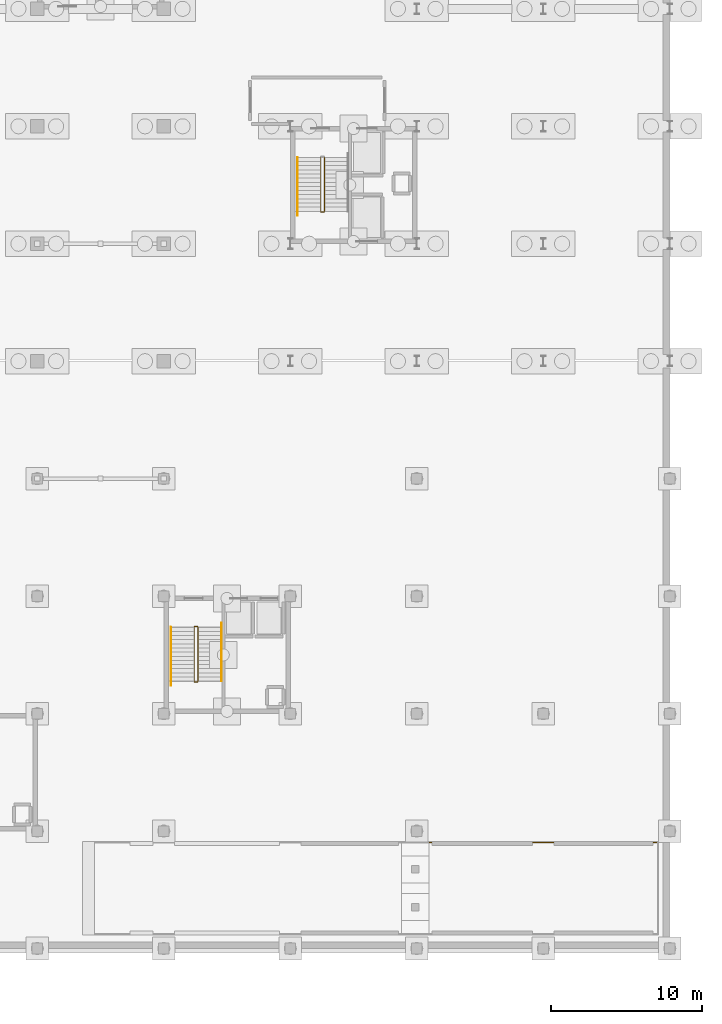
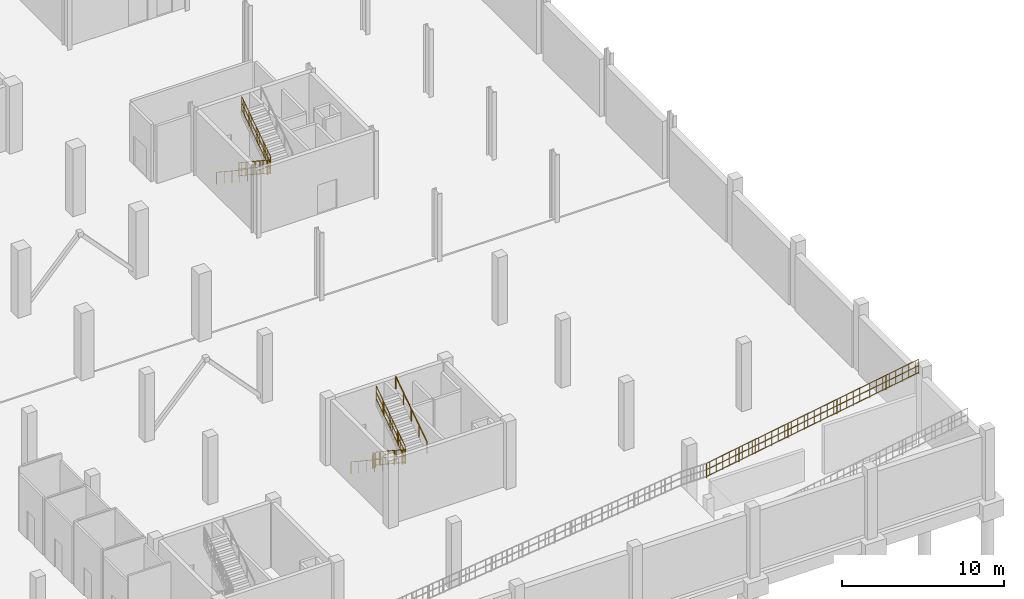
# One storey, part 46 of 48: 11 railings.
"""IFC4 building model written with IfcOpenShell, lengths in metres."""

from ifc_helpers import new_model, si_unit, direction, frame, origin, origin_2d, place, context, subcontext, project, spatial, circle, extrude, material, layer, layer_set, type_object, element, save


model = new_model("IFC4")

# Units and contexts
model_context = context("Model", 3, precision=1e-05, world=origin(), true_north=direction((0.0, 1.0)))
body_context = subcontext(model_context, "Body", "Model", "MODEL_VIEW")
ifc_project = project(units=[si_unit("LENGTHUNIT", "METRE"), si_unit("AREAUNIT", "SQUARE_METRE"), si_unit("VOLUMEUNIT", "CUBIC_METRE"), si_unit("PLANEANGLEUNIT", "RADIAN"), si_unit("MASSUNIT", "GRAM", prefix="KILO")], contexts=[model_context])

# Site, building, storey
site_placement = place(None, origin())
site = spatial("IfcSite", under=ifc_project, at=site_placement, CompositionType="ELEMENT")
building_placement = place(site_placement, origin())
building = spatial("IfcBuilding", under=site, at=building_placement, Name="Nabrawat Pavilion Hospital", CompositionType="ELEMENT")
storey_placement = place(building_placement, frame((0.0, 0.0, -5.10009765625)))
storey = spatial("IfcBuildingStorey", under=building, at=storey_placement, Name="B1", CompositionType="ELEMENT", Elevation=-5.10009765625)

# Railings
ifc_material = material(Name="Stainless Steel 316", Category="steel")
ifc_layer_1 = layer(ifc_material, 0.050048828125, Name="Stainless Steel 316")
ifc_layer_set_1 = layer_set([ifc_layer_1], Name="Stainless Steel 316")
railing_type_1 = type_object("IfcRailingType", Name="Stair Open-Well Safety Guardrail 1100", PredefinedType="GUARDRAIL", material=ifc_layer_set_1)
railing_1_placement = place(storey_placement, frame((161.625, 21.330078125, 0.18212890625)))
element("IfcRailing", 1, at=railing_1_placement, inside=storey, type_object=railing_type_1, Name="B1 ST-04 stair guard 1", PredefinedType="GUARDRAIL", context=body_context, shape_type="SweptSolid", body=[
    extrude(circle(Radius=0.02392578125, at=origin_2d()), frame((0.0, 0.0, 1.076171875), z_axis=(0.0, -0.833719449677, 0.5521882643), x_axis=(1.0, 0.0, 0.0)), (0.0, 0.0, 1.0), 4.288330078125),
    extrude(circle(Radius=0.02392578125, at=origin_2d()), frame((0.0, 0.0, 0.10009765625), z_axis=(0.0, -0.833719449677, 0.5521882643), x_axis=(1.0, 0.0, 0.0)), (0.0, 0.0, 1.0), 4.288330078125),
    extrude(circle(Radius=0.02392578125, at=origin_2d()), frame((0.0, 0.0, 0.60498046875), z_axis=(0.0, -0.833719449677, 0.5521882643), x_axis=(1.0, 0.0, 0.0)), (0.0, 0.0, 1.0), 4.288330078125),
    extrude(circle(Radius=0.008056640625, at=origin_2d()), frame((0.0, -0.19873046875, 0.2314453125)), (0.0, 0.0, 1.0), 0.951904296875),
    extrude(circle(Radius=0.008056640625, at=origin_2d()), frame((0.0, -0.397216796875, 0.363037109375)), (0.0, 0.0, 1.0), 0.951904296875),
    extrude(circle(Radius=0.008056640625, at=origin_2d()), frame((0.0, -0.595947265625, 0.49462890625)), (0.0, 0.0, 1.0), 0.951904296875),
    extrude(circle(Radius=0.008056640625, at=origin_2d()), frame((0.0, -0.79443359375, 0.626220703125)), (0.0, 0.0, 1.0), 0.951904296875),
    extrude(circle(Radius=0.008056640625, at=origin_2d()), frame((0.0, -0.9931640625, 0.7578125)), (0.0, 0.0, 1.0), 0.951904296875),
    extrude(circle(Radius=0.008056640625, at=origin_2d()), frame((0.0, -1.191650390625, 0.889404296875)), (0.0, 0.0, 1.0), 0.951904296875),
    extrude(circle(Radius=0.008056640625, at=origin_2d()), frame((0.0, -1.390380859375, 1.020751953125)), (0.0, 0.0, 1.0), 0.951904296875),
    extrude(circle(Radius=0.008056640625, at=origin_2d()), frame((0.0, -1.5888671875, 1.15234375)), (0.0, 0.0, 1.0), 0.951904296875),
    extrude(circle(Radius=0.008056640625, at=origin_2d()), frame((0.0, -1.986328125, 1.41552734375)), (0.0, 0.0, 1.0), 0.951904296875),
    extrude(circle(Radius=0.008056640625, at=origin_2d()), frame((0.0, -2.184814453125, 1.547119140625)), (0.0, 0.0, 1.0), 0.951904296875),
    extrude(circle(Radius=0.008056640625, at=origin_2d()), frame((0.0, -2.383544921875, 1.6787109375)), (0.0, 0.0, 1.0), 0.951904296875),
    extrude(circle(Radius=0.008056640625, at=origin_2d()), frame((0.0, -2.58203125, 1.81005859375)), (0.0, 0.0, 1.0), 0.951904296875),
    extrude(circle(Radius=0.008056640625, at=origin_2d()), frame((0.0, -2.78076171875, 1.941650390625)), (0.0, 0.0, 1.0), 0.951904296875),
    extrude(circle(Radius=0.008056640625, at=origin_2d()), frame((0.0, -2.979248046875, 2.0732421875)), (0.0, 0.0, 1.0), 0.951904296875),
    extrude(circle(Radius=0.008056640625, at=origin_2d()), frame((0.0, -3.177978515625, 2.204833984375)), (0.0, 0.0, 1.0), 0.951904296875),
    extrude(circle(Radius=0.008056640625, at=origin_2d()), frame((0.0, -3.37646484375, 2.33642578125)), (0.0, 0.0, 1.0), 0.951904296875),
    extrude(circle(Radius=0.02099609375, at=origin_2d()), origin(), (0.0, 0.0, 1.0), 1.052001953125),
    extrude(circle(Radius=0.02099609375, at=origin_2d()), frame((0.0, -0.893798828125, 0.592041015625)), (0.0, 0.0, 1.0), 1.052001953125),
    extrude(circle(Radius=0.02099609375, at=origin_2d()), frame((0.0, -1.78759765625, 1.18408203125)), (0.0, 0.0, 1.0), 1.052001953125),
    extrude(circle(Radius=0.02099609375, at=origin_2d()), frame((0.0, -2.681396484375, 1.77587890625)), (0.0, 0.0, 1.0), 1.052001953125),
    extrude(circle(Radius=0.02099609375, at=origin_2d()), frame((0.0, -3.5751953125, 2.367919921875)), (0.0, 0.0, 1.0), 1.052001953125),
])
railing_2_placement = place(storey_placement, frame((161.64990234375, 17.705078125, 2.550048828125)))
element("IfcRailing", 2, at=railing_2_placement, inside=storey, type_object=railing_type_1, Name="B1 ST-04 stair guard 2", PredefinedType="GUARDRAIL", context=body_context, shape_type="SweptSolid", body=[
    extrude(circle(Radius=0.02392578125, at=origin_2d()), frame((0.0, 0.0, 1.076171875), z_axis=(1.0, 0.0, 0.0), x_axis=(0.0, 1.0, 0.0)), (0.0, 0.0, 1.0), 0.2001953125),
    extrude(circle(Radius=0.02392578125, at=origin_2d()), frame((0.0, 0.0, 0.10009765625), z_axis=(1.0, 0.0, 0.0), x_axis=(0.0, 1.0, 0.0)), (0.0, 0.0, 1.0), 0.2001953125),
    extrude(circle(Radius=0.02392578125, at=origin_2d()), frame((0.0, 0.0, 0.60498046875), z_axis=(1.0, 0.0, 0.0), x_axis=(0.0, 1.0, 0.0)), (0.0, 0.0, 1.0), 0.2001953125),
    extrude(circle(Radius=0.008056640625, at=origin_2d()), frame((0.10009765625, 0.0, 0.10009765625)), (0.0, 0.0, 1.0), 0.951904296875),
    extrude(circle(Radius=0.02099609375, at=origin_2d()), origin(), (0.0, 0.0, 1.0), 1.052001953125),
    extrude(circle(Radius=0.02099609375, at=origin_2d()), frame((0.2001953125, 0.0, 0.0)), (0.0, 0.0, 1.0), 1.052001953125),
])
railing_3_placement = place(storey_placement, frame((161.875, 17.7548828125, 2.732177734375)))
element("IfcRailing", 3, at=railing_3_placement, inside=storey, type_object=railing_type_1, Name="B1 ST-04 stair guard 3", PredefinedType="GUARDRAIL", context=body_context, shape_type="SweptSolid", body=[
    extrude(circle(Radius=0.02392578125, at=origin_2d()), frame((0.0, 0.0, 1.076171875), z_axis=(0.0, 0.833719449677, 0.5521882643), x_axis=(-1.0, 0.0, 0.0)), (0.0, 0.0, 1.0), 4.288330078125),
    extrude(circle(Radius=0.02392578125, at=origin_2d()), frame((0.0, 0.0, 0.10009765625), z_axis=(0.0, 0.833719449677, 0.5521882643), x_axis=(-1.0, 0.0, 0.0)), (0.0, 0.0, 1.0), 4.288330078125),
    extrude(circle(Radius=0.02392578125, at=origin_2d()), frame((0.0, 0.0, 0.60498046875), z_axis=(0.0, 0.833719449677, 0.5521882643), x_axis=(-1.0, 0.0, 0.0)), (0.0, 0.0, 1.0), 4.288330078125),
    extrude(circle(Radius=0.008056640625, at=origin_2d()), frame((0.0, 0.19873046875, 0.2314453125)), (0.0, 0.0, 1.0), 0.951904296875),
    extrude(circle(Radius=0.008056640625, at=origin_2d()), frame((0.0, 0.397216796875, 0.363037109375)), (0.0, 0.0, 1.0), 0.951904296875),
    extrude(circle(Radius=0.008056640625, at=origin_2d()), frame((0.0, 0.595947265625, 0.49462890625)), (0.0, 0.0, 1.0), 0.951904296875),
    extrude(circle(Radius=0.008056640625, at=origin_2d()), frame((0.0, 0.79443359375, 0.626220703125)), (0.0, 0.0, 1.0), 0.951904296875),
    extrude(circle(Radius=0.008056640625, at=origin_2d()), frame((0.0, 0.9931640625, 0.7578125)), (0.0, 0.0, 1.0), 0.951904296875),
    extrude(circle(Radius=0.008056640625, at=origin_2d()), frame((0.0, 1.191650390625, 0.889404296875)), (0.0, 0.0, 1.0), 0.951904296875),
    extrude(circle(Radius=0.008056640625, at=origin_2d()), frame((0.0, 1.390380859375, 1.020751953125)), (0.0, 0.0, 1.0), 0.951904296875),
    extrude(circle(Radius=0.008056640625, at=origin_2d()), frame((0.0, 1.5888671875, 1.15234375)), (0.0, 0.0, 1.0), 0.951904296875),
    extrude(circle(Radius=0.008056640625, at=origin_2d()), frame((0.0, 1.986328125, 1.41552734375)), (0.0, 0.0, 1.0), 0.951904296875),
    extrude(circle(Radius=0.008056640625, at=origin_2d()), frame((0.0, 2.184814453125, 1.547119140625)), (0.0, 0.0, 1.0), 0.951904296875),
    extrude(circle(Radius=0.008056640625, at=origin_2d()), frame((0.0, 2.383544921875, 1.6787109375)), (0.0, 0.0, 1.0), 0.951904296875),
    extrude(circle(Radius=0.008056640625, at=origin_2d()), frame((0.0, 2.58203125, 1.81005859375)), (0.0, 0.0, 1.0), 0.951904296875),
    extrude(circle(Radius=0.008056640625, at=origin_2d()), frame((0.0, 2.78076171875, 1.941650390625)), (0.0, 0.0, 1.0), 0.951904296875),
    extrude(circle(Radius=0.008056640625, at=origin_2d()), frame((0.0, 2.979248046875, 2.0732421875)), (0.0, 0.0, 1.0), 0.951904296875),
    extrude(circle(Radius=0.008056640625, at=origin_2d()), frame((0.0, 3.177978515625, 2.204833984375)), (0.0, 0.0, 1.0), 0.951904296875),
    extrude(circle(Radius=0.008056640625, at=origin_2d()), frame((0.0, 3.37646484375, 2.33642578125)), (0.0, 0.0, 1.0), 0.951904296875),
    extrude(circle(Radius=0.02099609375, at=origin_2d()), origin(), (0.0, 0.0, 1.0), 1.052001953125),
    extrude(circle(Radius=0.02099609375, at=origin_2d()), frame((0.0, 0.893798828125, 0.592041015625)), (0.0, 0.0, 1.0), 1.052001953125),
    extrude(circle(Radius=0.02099609375, at=origin_2d()), frame((0.0, 1.78759765625, 1.18408203125)), (0.0, 0.0, 1.0), 1.052001953125),
    extrude(circle(Radius=0.02099609375, at=origin_2d()), frame((0.0, 2.681396484375, 1.77587890625)), (0.0, 0.0, 1.0), 1.052001953125),
    extrude(circle(Radius=0.02099609375, at=origin_2d()), frame((0.0, 3.5751953125, 2.367919921875)), (0.0, 0.0, 1.0), 1.052001953125),
])
railing_4_placement = place(storey_placement, frame((161.64990234375, 21.3798828125, 0.0)))
element("IfcRailing", 4, at=railing_4_placement, inside=storey, type_object=railing_type_1, Name="B1 ST-04 stair guard 4", PredefinedType="GUARDRAIL", context=body_context, shape_type="SweptSolid", body=[
    extrude(circle(Radius=0.02392578125, at=origin_2d()), frame((0.0, 0.0, 1.076171875), z_axis=(1.0, 0.0, 0.0), x_axis=(0.0, 1.0, 0.0)), (0.0, 0.0, 1.0), 0.2001953125),
    extrude(circle(Radius=0.02392578125, at=origin_2d()), frame((0.0, 0.0, 0.10009765625), z_axis=(1.0, 0.0, 0.0), x_axis=(0.0, 1.0, 0.0)), (0.0, 0.0, 1.0), 0.2001953125),
    extrude(circle(Radius=0.02392578125, at=origin_2d()), frame((0.0, 0.0, 0.60498046875), z_axis=(1.0, 0.0, 0.0), x_axis=(0.0, 1.0, 0.0)), (0.0, 0.0, 1.0), 0.2001953125),
    extrude(circle(Radius=0.008056640625, at=origin_2d()), frame((0.10009765625, 0.0, 0.10009765625)), (0.0, 0.0, 1.0), 0.951904296875),
    extrude(circle(Radius=0.02099609375, at=origin_2d()), origin(), (0.0, 0.0, 1.0), 1.052001953125),
    extrude(circle(Radius=0.02099609375, at=origin_2d()), frame((0.2001953125, 0.0, 0.0)), (0.0, 0.0, 1.0), 1.052001953125),
])
railing_5_placement = place(storey_placement, frame((170.02490234375, 52.530029296875, 0.18212890625)))
element("IfcRailing", 5, at=railing_5_placement, inside=storey, type_object=railing_type_1, Name="B1 ST-05 stair guard 1", PredefinedType="GUARDRAIL", context=body_context, shape_type="SweptSolid", body=[
    extrude(circle(Radius=0.02392578125, at=origin_2d()), frame((0.0, 0.0, 1.076171875), z_axis=(0.0, -0.833702089047, 0.552214475289), x_axis=(1.0, 0.0, 0.0)), (0.0, 0.0, 1.0), 4.2880859375),
    extrude(circle(Radius=0.02392578125, at=origin_2d()), frame((0.0, 0.0, 0.10009765625), z_axis=(0.0, -0.833702089047, 0.552214475289), x_axis=(1.0, 0.0, 0.0)), (0.0, 0.0, 1.0), 4.2880859375),
    extrude(circle(Radius=0.02392578125, at=origin_2d()), frame((0.0, 0.0, 0.60498046875), z_axis=(0.0, -0.833702089047, 0.552214475289), x_axis=(1.0, 0.0, 0.0)), (0.0, 0.0, 1.0), 4.2880859375),
    extrude(circle(Radius=0.008056640625, at=origin_2d()), frame((0.0, -0.19873046875, 0.2314453125)), (0.0, 0.0, 1.0), 0.951904296875),
    extrude(circle(Radius=0.008056640625, at=origin_2d()), frame((0.0, -0.397216796875, 0.363037109375)), (0.0, 0.0, 1.0), 0.951904296875),
    extrude(circle(Radius=0.008056640625, at=origin_2d()), frame((0.0, -0.595703125, 0.49462890625)), (0.0, 0.0, 1.0), 0.951904296875),
    extrude(circle(Radius=0.008056640625, at=origin_2d()), frame((0.0, -0.79443359375, 0.626220703125)), (0.0, 0.0, 1.0), 0.951904296875),
    extrude(circle(Radius=0.008056640625, at=origin_2d()), frame((0.0, -0.9931640625, 0.7578125)), (0.0, 0.0, 1.0), 0.951904296875),
    extrude(circle(Radius=0.008056640625, at=origin_2d()), frame((0.0, -1.191650390625, 0.889404296875)), (0.0, 0.0, 1.0), 0.951904296875),
    extrude(circle(Radius=0.008056640625, at=origin_2d()), frame((0.0, -1.39013671875, 1.020751953125)), (0.0, 0.0, 1.0), 0.951904296875),
    extrude(circle(Radius=0.008056640625, at=origin_2d()), frame((0.0, -1.5888671875, 1.15234375)), (0.0, 0.0, 1.0), 0.951904296875),
    extrude(circle(Radius=0.008056640625, at=origin_2d()), frame((0.0, -1.986083984375, 1.41552734375)), (0.0, 0.0, 1.0), 0.951904296875),
    extrude(circle(Radius=0.008056640625, at=origin_2d()), frame((0.0, -2.1845703125, 1.547119140625)), (0.0, 0.0, 1.0), 0.951904296875),
    extrude(circle(Radius=0.008056640625, at=origin_2d()), frame((0.0, -2.38330078125, 1.6787109375)), (0.0, 0.0, 1.0), 0.951904296875),
    extrude(circle(Radius=0.008056640625, at=origin_2d()), frame((0.0, -2.58203125, 1.81005859375)), (0.0, 0.0, 1.0), 0.951904296875),
    extrude(circle(Radius=0.008056640625, at=origin_2d()), frame((0.0, -2.780517578125, 1.941650390625)), (0.0, 0.0, 1.0), 0.951904296875),
    extrude(circle(Radius=0.008056640625, at=origin_2d()), frame((0.0, -2.97900390625, 2.0732421875)), (0.0, 0.0, 1.0), 0.951904296875),
    extrude(circle(Radius=0.008056640625, at=origin_2d()), frame((0.0, -3.177734375, 2.204833984375)), (0.0, 0.0, 1.0), 0.951904296875),
    extrude(circle(Radius=0.008056640625, at=origin_2d()), frame((0.0, -3.37646484375, 2.33642578125)), (0.0, 0.0, 1.0), 0.951904296875),
    extrude(circle(Radius=0.02099609375, at=origin_2d()), origin(), (0.0, 0.0, 1.0), 1.052001953125),
    extrude(circle(Radius=0.02099609375, at=origin_2d()), frame((0.0, -0.893798828125, 0.592041015625)), (0.0, 0.0, 1.0), 1.052001953125),
    extrude(circle(Radius=0.02099609375, at=origin_2d()), frame((0.0, -1.78759765625, 1.18408203125)), (0.0, 0.0, 1.0), 1.052001953125),
    extrude(circle(Radius=0.02099609375, at=origin_2d()), frame((0.0, -2.68115234375, 1.77587890625)), (0.0, 0.0, 1.0), 1.052001953125),
    extrude(circle(Radius=0.02099609375, at=origin_2d()), frame((0.0, -3.574951171875, 2.367919921875)), (0.0, 0.0, 1.0), 1.052001953125),
])
railing_6_placement = place(storey_placement, frame((170.050048828125, 48.905029296875, 2.550048828125)))
element("IfcRailing", 6, at=railing_6_placement, inside=storey, type_object=railing_type_1, Name="B1 ST-05 stair guard 2", PredefinedType="GUARDRAIL", context=body_context, shape_type="SweptSolid", body=[
    extrude(circle(Radius=0.02392578125, at=origin_2d()), frame((0.0, 0.0, 1.076171875), z_axis=(1.0, 0.0, 0.0), x_axis=(0.0, 1.0, 0.0)), (0.0, 0.0, 1.0), 0.199951171875),
    extrude(circle(Radius=0.02392578125, at=origin_2d()), frame((0.0, 0.0, 0.10009765625), z_axis=(1.0, 0.0, 0.0), x_axis=(0.0, 1.0, 0.0)), (0.0, 0.0, 1.0), 0.199951171875),
    extrude(circle(Radius=0.02392578125, at=origin_2d()), frame((0.0, 0.0, 0.60498046875), z_axis=(1.0, 0.0, 0.0), x_axis=(0.0, 1.0, 0.0)), (0.0, 0.0, 1.0), 0.199951171875),
    extrude(circle(Radius=0.008056640625, at=origin_2d()), frame((0.10009765625, 0.0, 0.10009765625)), (0.0, 0.0, 1.0), 0.951904296875),
    extrude(circle(Radius=0.02099609375, at=origin_2d()), origin(), (0.0, 0.0, 1.0), 1.052001953125),
    extrude(circle(Radius=0.02099609375, at=origin_2d()), frame((0.199951171875, 0.0, 0.0)), (0.0, 0.0, 1.0), 1.052001953125),
])
railing_7_placement = place(storey_placement, frame((170.27490234375, 48.955078125, 2.732177734375)))
element("IfcRailing", 7, at=railing_7_placement, inside=storey, type_object=railing_type_1, Name="B1 ST-05 stair guard 3", PredefinedType="GUARDRAIL", context=body_context, shape_type="SweptSolid", body=[
    extrude(circle(Radius=0.02392578125, at=origin_2d()), frame((0.0, 0.0, 1.076171875), z_axis=(0.0, 0.833702089047, 0.552214475289), x_axis=(-1.0, 0.0, 0.0)), (0.0, 0.0, 1.0), 4.2880859375),
    extrude(circle(Radius=0.02392578125, at=origin_2d()), frame((0.0, 0.0, 0.10009765625), z_axis=(0.0, 0.833702089047, 0.552214475289), x_axis=(-1.0, 0.0, 0.0)), (0.0, 0.0, 1.0), 4.2880859375),
    extrude(circle(Radius=0.02392578125, at=origin_2d()), frame((0.0, 0.0, 0.60498046875), z_axis=(0.0, 0.833702089047, 0.552214475289), x_axis=(-1.0, 0.0, 0.0)), (0.0, 0.0, 1.0), 4.2880859375),
    extrude(circle(Radius=0.008056640625, at=origin_2d()), frame((0.0, 0.19873046875, 0.2314453125)), (0.0, 0.0, 1.0), 0.951904296875),
    extrude(circle(Radius=0.008056640625, at=origin_2d()), frame((0.0, 0.397216796875, 0.363037109375)), (0.0, 0.0, 1.0), 0.951904296875),
    extrude(circle(Radius=0.008056640625, at=origin_2d()), frame((0.0, 0.595703125, 0.49462890625)), (0.0, 0.0, 1.0), 0.951904296875),
    extrude(circle(Radius=0.008056640625, at=origin_2d()), frame((0.0, 0.79443359375, 0.626220703125)), (0.0, 0.0, 1.0), 0.951904296875),
    extrude(circle(Radius=0.008056640625, at=origin_2d()), frame((0.0, 0.9931640625, 0.7578125)), (0.0, 0.0, 1.0), 0.951904296875),
    extrude(circle(Radius=0.008056640625, at=origin_2d()), frame((0.0, 1.191650390625, 0.889404296875)), (0.0, 0.0, 1.0), 0.951904296875),
    extrude(circle(Radius=0.008056640625, at=origin_2d()), frame((0.0, 1.39013671875, 1.020751953125)), (0.0, 0.0, 1.0), 0.951904296875),
    extrude(circle(Radius=0.008056640625, at=origin_2d()), frame((0.0, 1.5888671875, 1.15234375)), (0.0, 0.0, 1.0), 0.951904296875),
    extrude(circle(Radius=0.008056640625, at=origin_2d()), frame((0.0, 1.986083984375, 1.41552734375)), (0.0, 0.0, 1.0), 0.951904296875),
    extrude(circle(Radius=0.008056640625, at=origin_2d()), frame((0.0, 2.1845703125, 1.547119140625)), (0.0, 0.0, 1.0), 0.951904296875),
    extrude(circle(Radius=0.008056640625, at=origin_2d()), frame((0.0, 2.38330078125, 1.6787109375)), (0.0, 0.0, 1.0), 0.951904296875),
    extrude(circle(Radius=0.008056640625, at=origin_2d()), frame((0.0, 2.58203125, 1.81005859375)), (0.0, 0.0, 1.0), 0.951904296875),
    extrude(circle(Radius=0.008056640625, at=origin_2d()), frame((0.0, 2.780517578125, 1.941650390625)), (0.0, 0.0, 1.0), 0.951904296875),
    extrude(circle(Radius=0.008056640625, at=origin_2d()), frame((0.0, 2.97900390625, 2.0732421875)), (0.0, 0.0, 1.0), 0.951904296875),
    extrude(circle(Radius=0.008056640625, at=origin_2d()), frame((0.0, 3.177734375, 2.204833984375)), (0.0, 0.0, 1.0), 0.951904296875),
    extrude(circle(Radius=0.008056640625, at=origin_2d()), frame((0.0, 3.37646484375, 2.33642578125)), (0.0, 0.0, 1.0), 0.951904296875),
    extrude(circle(Radius=0.02099609375, at=origin_2d()), origin(), (0.0, 0.0, 1.0), 1.052001953125),
    extrude(circle(Radius=0.02099609375, at=origin_2d()), frame((0.0, 0.893798828125, 0.592041015625)), (0.0, 0.0, 1.0), 1.052001953125),
    extrude(circle(Radius=0.02099609375, at=origin_2d()), frame((0.0, 1.78759765625, 1.18408203125)), (0.0, 0.0, 1.0), 1.052001953125),
    extrude(circle(Radius=0.02099609375, at=origin_2d()), frame((0.0, 2.68115234375, 1.77587890625)), (0.0, 0.0, 1.0), 1.052001953125),
    extrude(circle(Radius=0.02099609375, at=origin_2d()), frame((0.0, 3.574951171875, 2.367919921875)), (0.0, 0.0, 1.0), 1.052001953125),
])
railing_8_placement = place(storey_placement, frame((177.199951171875, 7.0400390625, 2.550048828125)))
element("IfcRailing", 8, at=railing_8_placement, inside=storey, type_object=railing_type_1, Name="B1 Vehicle Ramp Edge Safety Guardrail GRD-VRMP-F2-N", PredefinedType="GUARDRAIL", context=body_context, shape_type="SweptSolid", body=[
    extrude(circle(Radius=0.02392578125, at=origin_2d()), frame((0.0, 0.0, 1.09619140625), z_axis=(0.986128513134, 0.0, 0.165983600349), x_axis=(0.0, 1.0, 0.0)), (0.0, 0.0, 1.0), 15.36328125),
    extrude(circle(Radius=0.02392578125, at=origin_2d()), frame((0.0, 0.0, 0.10009765625), z_axis=(0.986128513134, 0.0, 0.165983600349), x_axis=(0.0, 1.0, 0.0)), (0.0, 0.0, 1.0), 15.36328125),
    extrude(circle(Radius=0.02392578125, at=origin_2d()), frame((0.0, 0.0, 0.615966796875), z_axis=(0.986128513134, 0.0, 0.165983600349), x_axis=(0.0, 1.0, 0.0)), (0.0, 0.0, 1.0), 15.36328125),
    extrude(circle(Radius=0.008056640625, at=origin_2d()), frame((0.233154296875, 0.0, 0.13916015625)), (0.0, 0.0, 1.0), 0.971923828125),
    extrude(circle(Radius=0.008056640625, at=origin_2d()), frame((0.466064453125, 0.0, 0.178466796875)), (0.0, 0.0, 1.0), 0.971923828125),
    extrude(circle(Radius=0.008056640625, at=origin_2d()), frame((0.69921875, 0.0, 0.2177734375)), (0.0, 0.0, 1.0), 0.971923828125),
    extrude(circle(Radius=0.008056640625, at=origin_2d()), frame((0.932373046875, 0.0, 0.2568359375)), (0.0, 0.0, 1.0), 0.971923828125),
    extrude(circle(Radius=0.008056640625, at=origin_2d()), frame((1.3984375, 0.0, 0.33544921875)), (0.0, 0.0, 1.0), 0.971923828125),
    extrude(circle(Radius=0.008056640625, at=origin_2d()), frame((1.631591796875, 0.0, 0.37451171875)), (0.0, 0.0, 1.0), 0.971923828125),
    extrude(circle(Radius=0.008056640625, at=origin_2d()), frame((1.86474609375, 0.0, 0.413818359375)), (0.0, 0.0, 1.0), 0.971923828125),
    extrude(circle(Radius=0.008056640625, at=origin_2d()), frame((2.09765625, 0.0, 0.453125)), (0.0, 0.0, 1.0), 0.971923828125),
    extrude(circle(Radius=0.008056640625, at=origin_2d()), frame((2.56396484375, 0.0, 0.531494140625)), (0.0, 0.0, 1.0), 0.971923828125),
    extrude(circle(Radius=0.008056640625, at=origin_2d()), frame((2.796875, 0.0, 0.57080078125)), (0.0, 0.0, 1.0), 0.971923828125),
    extrude(circle(Radius=0.008056640625, at=origin_2d()), frame((3.030029296875, 0.0, 0.610107421875)), (0.0, 0.0, 1.0), 0.971923828125),
    extrude(circle(Radius=0.008056640625, at=origin_2d()), frame((3.26318359375, 0.0, 0.649169921875)), (0.0, 0.0, 1.0), 0.971923828125),
    extrude(circle(Radius=0.008056640625, at=origin_2d()), frame((3.729248046875, 0.0, 0.727783203125)), (0.0, 0.0, 1.0), 0.971923828125),
    extrude(circle(Radius=0.008056640625, at=origin_2d()), frame((3.96240234375, 0.0, 0.766845703125)), (0.0, 0.0, 1.0), 0.971923828125),
    extrude(circle(Radius=0.008056640625, at=origin_2d()), frame((4.1953125, 0.0, 0.80615234375)), (0.0, 0.0, 1.0), 0.971923828125),
    extrude(circle(Radius=0.008056640625, at=origin_2d()), frame((4.428466796875, 0.0, 0.845458984375)), (0.0, 0.0, 1.0), 0.971923828125),
    extrude(circle(Radius=0.008056640625, at=origin_2d()), frame((4.894775390625, 0.0, 0.923828125)), (0.0, 0.0, 1.0), 0.971923828125),
    extrude(circle(Radius=0.008056640625, at=origin_2d()), frame((5.127685546875, 0.0, 0.963134765625)), (0.0, 0.0, 1.0), 0.971923828125),
    extrude(circle(Radius=0.008056640625, at=origin_2d()), frame((5.36083984375, 0.0, 1.00244140625)), (0.0, 0.0, 1.0), 0.971923828125),
    extrude(circle(Radius=0.008056640625, at=origin_2d()), frame((5.593994140625, 0.0, 1.04150390625)), (0.0, 0.0, 1.0), 0.971923828125),
    extrude(circle(Radius=0.008056640625, at=origin_2d()), frame((6.06005859375, 0.0, 1.1201171875)), (0.0, 0.0, 1.0), 0.971923828125),
    extrude(circle(Radius=0.008056640625, at=origin_2d()), frame((6.293212890625, 0.0, 1.1591796875)), (0.0, 0.0, 1.0), 0.971923828125),
    extrude(circle(Radius=0.008056640625, at=origin_2d()), frame((6.526123046875, 0.0, 1.198486328125)), (0.0, 0.0, 1.0), 0.971923828125),
    extrude(circle(Radius=0.008056640625, at=origin_2d()), frame((6.75927734375, 0.0, 1.23779296875)), (0.0, 0.0, 1.0), 0.971923828125),
    extrude(circle(Radius=0.008056640625, at=origin_2d()), frame((7.225341796875, 0.0, 1.316162109375)), (0.0, 0.0, 1.0), 0.971923828125),
    extrude(circle(Radius=0.008056640625, at=origin_2d()), frame((7.45849609375, 0.0, 1.35546875)), (0.0, 0.0, 1.0), 0.971923828125),
    extrude(circle(Radius=0.008056640625, at=origin_2d()), frame((7.691650390625, 0.0, 1.39453125)), (0.0, 0.0, 1.0), 0.971923828125),
    extrude(circle(Radius=0.008056640625, at=origin_2d()), frame((7.9248046875, 0.0, 1.433837890625)), (0.0, 0.0, 1.0), 0.971923828125),
    extrude(circle(Radius=0.008056640625, at=origin_2d()), frame((8.390869140625, 0.0, 1.512451171875)), (0.0, 0.0, 1.0), 0.971923828125),
    extrude(circle(Radius=0.008056640625, at=origin_2d()), frame((8.6240234375, 0.0, 1.551513671875)), (0.0, 0.0, 1.0), 0.971923828125),
    extrude(circle(Radius=0.008056640625, at=origin_2d()), frame((8.85693359375, 0.0, 1.5908203125)), (0.0, 0.0, 1.0), 0.971923828125),
    extrude(circle(Radius=0.008056640625, at=origin_2d()), frame((9.090087890625, 0.0, 1.630126953125)), (0.0, 0.0, 1.0), 0.971923828125),
    extrude(circle(Radius=0.008056640625, at=origin_2d()), frame((9.55615234375, 0.0, 1.70849609375)), (0.0, 0.0, 1.0), 0.971923828125),
    extrude(circle(Radius=0.008056640625, at=origin_2d()), frame((9.789306640625, 0.0, 1.747802734375)), (0.0, 0.0, 1.0), 0.971923828125),
    extrude(circle(Radius=0.008056640625, at=origin_2d()), frame((10.0224609375, 0.0, 1.786865234375)), (0.0, 0.0, 1.0), 0.971923828125),
    extrude(circle(Radius=0.008056640625, at=origin_2d()), frame((10.25537109375, 0.0, 1.826171875)), (0.0, 0.0, 1.0), 0.971923828125),
    extrude(circle(Radius=0.008056640625, at=origin_2d()), frame((10.7216796875, 0.0, 1.904541015625)), (0.0, 0.0, 1.0), 0.971923828125),
    extrude(circle(Radius=0.008056640625, at=origin_2d()), frame((10.954833984375, 0.0, 1.94384765625)), (0.0, 0.0, 1.0), 0.971923828125),
    extrude(circle(Radius=0.008056640625, at=origin_2d()), frame((11.187744140625, 0.0, 1.983154296875)), (0.0, 0.0, 1.0), 0.971923828125),
    extrude(circle(Radius=0.008056640625, at=origin_2d()), frame((11.4208984375, 0.0, 2.0224609375)), (0.0, 0.0, 1.0), 0.971923828125),
    extrude(circle(Radius=0.008056640625, at=origin_2d()), frame((11.886962890625, 0.0, 2.100830078125)), (0.0, 0.0, 1.0), 0.971923828125),
    extrude(circle(Radius=0.008056640625, at=origin_2d()), frame((12.1201171875, 0.0, 2.14013671875)), (0.0, 0.0, 1.0), 0.971923828125),
    extrude(circle(Radius=0.008056640625, at=origin_2d()), frame((12.353271484375, 0.0, 2.17919921875)), (0.0, 0.0, 1.0), 0.971923828125),
    extrude(circle(Radius=0.008056640625, at=origin_2d()), frame((12.586181640625, 0.0, 2.218505859375)), (0.0, 0.0, 1.0), 0.971923828125),
    extrude(circle(Radius=0.008056640625, at=origin_2d()), frame((13.052490234375, 0.0, 2.296875)), (0.0, 0.0, 1.0), 0.971923828125),
    extrude(circle(Radius=0.008056640625, at=origin_2d()), frame((13.285400390625, 0.0, 2.336181640625)), (0.0, 0.0, 1.0), 0.971923828125),
    extrude(circle(Radius=0.008056640625, at=origin_2d()), frame((13.5185546875, 0.0, 2.37548828125)), (0.0, 0.0, 1.0), 0.971923828125),
    extrude(circle(Radius=0.008056640625, at=origin_2d()), frame((13.751708984375, 0.0, 2.41455078125)), (0.0, 0.0, 1.0), 0.971923828125),
    extrude(circle(Radius=0.008056640625, at=origin_2d()), frame((14.2177734375, 0.0, 2.4931640625)), (0.0, 0.0, 1.0), 0.971923828125),
    extrude(circle(Radius=0.008056640625, at=origin_2d()), frame((14.450927734375, 0.0, 2.532470703125)), (0.0, 0.0, 1.0), 0.971923828125),
    extrude(circle(Radius=0.008056640625, at=origin_2d()), frame((14.68408203125, 0.0, 2.571533203125)), (0.0, 0.0, 1.0), 0.971923828125),
    extrude(circle(Radius=0.008056640625, at=origin_2d()), frame((14.9169921875, 0.0, 2.61083984375)), (0.0, 0.0, 1.0), 0.971923828125),
    extrude(circle(Radius=0.02099609375, at=origin_2d()), origin(), (0.0, 0.0, 1.0), 1.072021484375),
    extrude(circle(Radius=0.02099609375, at=origin_2d()), frame((1.165283203125, 0.0, 0.196044921875)), (0.0, 0.0, 1.0), 1.072021484375),
    extrude(circle(Radius=0.02099609375, at=origin_2d()), frame((2.330810546875, 0.0, 0.392333984375)), (0.0, 0.0, 1.0), 1.072021484375),
    extrude(circle(Radius=0.02099609375, at=origin_2d()), frame((3.49609375, 0.0, 0.58837890625)), (0.0, 0.0, 1.0), 1.072021484375),
    extrude(circle(Radius=0.02099609375, at=origin_2d()), frame((4.66162109375, 0.0, 0.78466796875)), (0.0, 0.0, 1.0), 1.072021484375),
    extrude(circle(Radius=0.02099609375, at=origin_2d()), frame((5.826904296875, 0.0, 0.980712890625)), (0.0, 0.0, 1.0), 1.072021484375),
    extrude(circle(Radius=0.02099609375, at=origin_2d()), frame((6.992431640625, 0.0, 1.177001953125)), (0.0, 0.0, 1.0), 1.072021484375),
    extrude(circle(Radius=0.02099609375, at=origin_2d()), frame((8.15771484375, 0.0, 1.373046875)), (0.0, 0.0, 1.0), 1.072021484375),
    extrude(circle(Radius=0.02099609375, at=origin_2d()), frame((9.3232421875, 0.0, 1.5693359375)), (0.0, 0.0, 1.0), 1.072021484375),
    extrude(circle(Radius=0.02099609375, at=origin_2d()), frame((10.488525390625, 0.0, 1.765380859375)), (0.0, 0.0, 1.0), 1.072021484375),
    extrude(circle(Radius=0.02099609375, at=origin_2d()), frame((11.654052734375, 0.0, 1.961669921875)), (0.0, 0.0, 1.0), 1.072021484375),
    extrude(circle(Radius=0.02099609375, at=origin_2d()), frame((12.8193359375, 0.0, 2.15771484375)), (0.0, 0.0, 1.0), 1.072021484375),
    extrude(circle(Radius=0.02099609375, at=origin_2d()), frame((13.98486328125, 0.0, 2.35400390625)), (0.0, 0.0, 1.0), 1.072021484375),
    extrude(circle(Radius=0.02099609375, at=origin_2d()), frame((15.150146484375, 0.0, 2.550048828125)), (0.0, 0.0, 1.0), 1.072021484375),
])
ifc_layer_2 = layer(ifc_material, 0.044921875, Name="Stainless Steel 316")
ifc_layer_set_2 = layer_set([ifc_layer_2], Name="Stainless Steel 316")
railing_type_2 = type_object("IfcRailingType", Name="Stair Pitch Continuous Handrail 920", PredefinedType="HANDRAIL", material=ifc_layer_set_2)
railing_9_placement = place(storey_placement, frame((160.074951171875, 21.330078125, 0.186279296875)))
element("IfcRailing", 9, at=railing_9_placement, inside=storey, type_object=railing_type_2, Name="B1 ST-04 stair handrail 1", PredefinedType="HANDRAIL", context=body_context, shape_type="SweptSolid", body=[
    extrude(circle(Radius=0.02392578125, at=origin_2d()), frame((0.0, 0.0, 0.89599609375), z_axis=(0.0, -0.833713881912, 0.552196670677), x_axis=(1.0, 0.0, 0.0)), (0.0, 0.0, 1.0), 4.617919921875),
    extrude(circle(Radius=0.02099609375, at=origin_2d()), origin(), (0.0, 0.0, 1.0), 0.871826171875),
    extrude(circle(Radius=0.02099609375, at=origin_2d()), frame((0.0, -0.96240234375, 0.637451171875)), (0.0, 0.0, 1.0), 0.871826171875),
    extrude(circle(Radius=0.02099609375, at=origin_2d()), frame((0.0, -1.925048828125, 1.27490234375)), (0.0, 0.0, 1.0), 0.871826171875),
    extrude(circle(Radius=0.02099609375, at=origin_2d()), frame((0.0, -2.8876953125, 1.91259765625)), (0.0, 0.0, 1.0), 0.871826171875),
    extrude(circle(Radius=0.02099609375, at=origin_2d()), frame((0.0, -3.85009765625, 2.550048828125)), (0.0, 0.0, 1.0), 0.871826171875),
])
railing_10_placement = place(storey_placement, frame((163.425048828125, 17.7548828125, 2.736328125)))
element("IfcRailing", 10, at=railing_10_placement, inside=storey, type_object=railing_type_2, Name="B1 ST-04 stair handrail 2", PredefinedType="HANDRAIL", context=body_context, shape_type="SweptSolid", body=[
    extrude(circle(Radius=0.02392578125, at=origin_2d()), frame((0.0, 0.0, 0.89599609375), z_axis=(0.0, 0.833738220445, 0.552159922278), x_axis=(-1.0, 0.0, 0.0)), (0.0, 0.0, 1.0), 4.617919921875),
    extrude(circle(Radius=0.02099609375, at=origin_2d()), origin(), (0.0, 0.0, 1.0), 0.871826171875),
    extrude(circle(Radius=0.02099609375, at=origin_2d()), frame((0.0, 0.96240234375, 0.637451171875)), (0.0, 0.0, 1.0), 0.871826171875),
    extrude(circle(Radius=0.02099609375, at=origin_2d()), frame((0.0, 1.925048828125, 1.27490234375)), (0.0, 0.0, 1.0), 0.871826171875),
    extrude(circle(Radius=0.02099609375, at=origin_2d()), frame((0.0, 2.8876953125, 1.912353515625)), (0.0, 0.0, 1.0), 0.871826171875),
    extrude(circle(Radius=0.02099609375, at=origin_2d()), frame((0.0, 3.85009765625, 2.5498046875)), (0.0, 0.0, 1.0), 0.871826171875),
])
railing_11_placement = place(storey_placement, frame((168.47509765625, 52.530029296875, 0.186279296875)))
element("IfcRailing", 11, at=railing_11_placement, inside=storey, type_object=railing_type_2, Name="B1 ST-05 stair handrail 1", PredefinedType="HANDRAIL", context=body_context, shape_type="SweptSolid", body=[
    extrude(circle(Radius=0.02392578125, at=origin_2d()), frame((0.0, 0.0, 0.89599609375), z_axis=(0.0, -0.833713881912, 0.552196670677), x_axis=(1.0, 0.0, 0.0)), (0.0, 0.0, 1.0), 4.617919921875),
    extrude(circle(Radius=0.02099609375, at=origin_2d()), origin(), (0.0, 0.0, 1.0), 0.871826171875),
    extrude(circle(Radius=0.02099609375, at=origin_2d()), frame((0.0, -0.96240234375, 0.637451171875)), (0.0, 0.0, 1.0), 0.871826171875),
    extrude(circle(Radius=0.02099609375, at=origin_2d()), frame((0.0, -1.925048828125, 1.27490234375)), (0.0, 0.0, 1.0), 0.871826171875),
    extrude(circle(Radius=0.02099609375, at=origin_2d()), frame((0.0, -2.8876953125, 1.91259765625)), (0.0, 0.0, 1.0), 0.871826171875),
    extrude(circle(Radius=0.02099609375, at=origin_2d()), frame((0.0, -3.85009765625, 2.550048828125)), (0.0, 0.0, 1.0), 0.871826171875),
])

save(model, "model.ifc")
